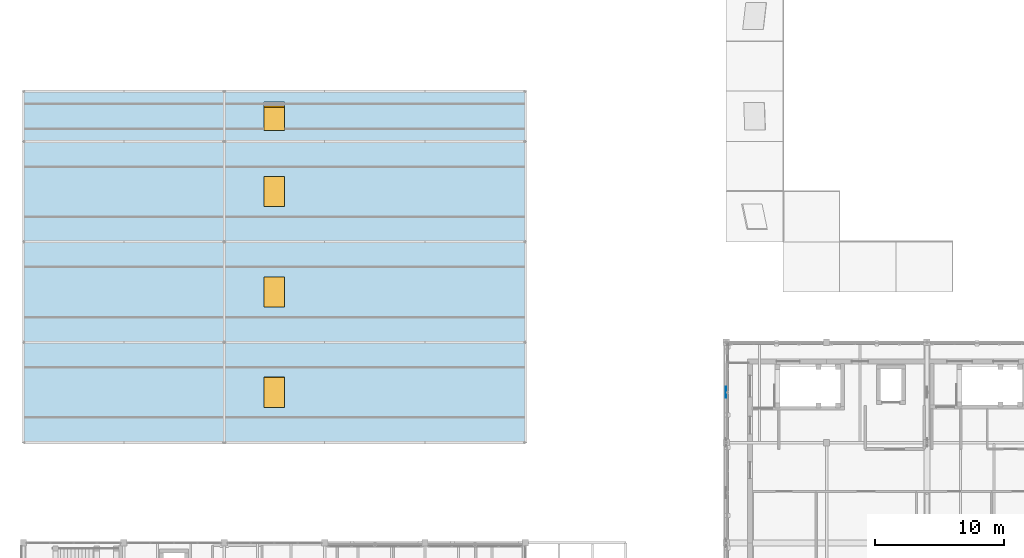
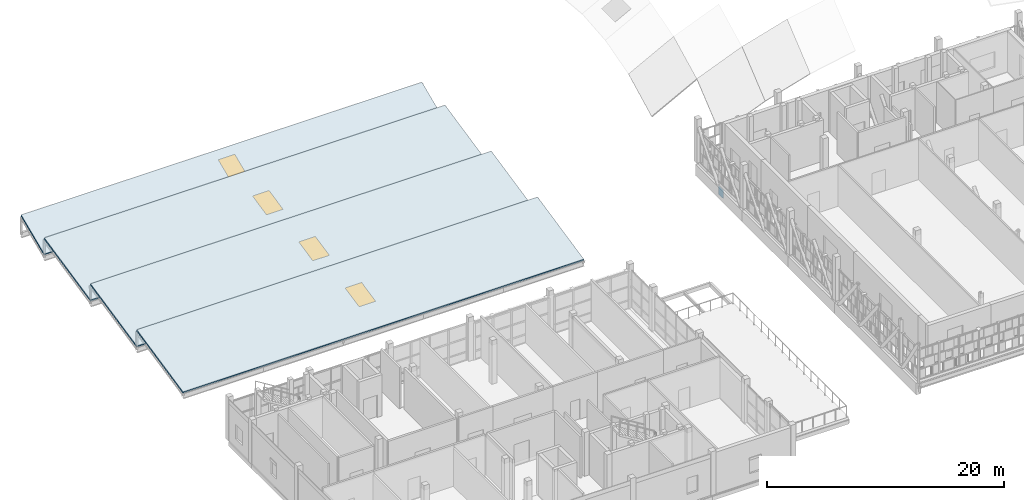
# One storey, part 46 of 89: 4 slabs, 4 windows, 1 plate, 4 openings.
"""IFC4 building model written with IfcOpenShell, lengths in metres."""

from ifc_helpers import new_model, si_unit, direction, frame, origin, origin_2d, place, context, subcontext, project, spatial, polyline, rectangle, outline, extrude, material, layer, layer_set, type_object, element, fill, save


model = new_model("IFC4")

# Units and contexts
model_context = context("Model", 3, precision=1e-05, world=origin(), true_north=direction((0.0, 1.0)))
body_context = subcontext(model_context, "Body", "Model", "MODEL_VIEW")
ifc_project = project(units=[si_unit("LENGTHUNIT", "METRE"), si_unit("AREAUNIT", "SQUARE_METRE"), si_unit("VOLUMEUNIT", "CUBIC_METRE"), si_unit("PLANEANGLEUNIT", "RADIAN"), si_unit("MASSUNIT", "GRAM", prefix="KILO")], contexts=[model_context])

# Site, building, storey
site_placement = place(None, origin())
site = spatial("IfcSite", under=ifc_project, at=site_placement, CompositionType="ELEMENT")
building_placement = place(site_placement, origin())
building = spatial("IfcBuilding", under=site, at=building_placement, Name="Celorna Specialist Clinic", CompositionType="ELEMENT")
storey_placement = place(building_placement, frame((0.0, 0.0, 14.10009765625)))
storey = spatial("IfcBuildingStorey", under=building, at=storey_placement, Name="L03", CompositionType="ELEMENT", Elevation=14.10009765625)

# Plate
ifc_material_1 = material(Name="Steel S355", Category="steel")
ifc_layer_1 = layer(ifc_material_1, 0.028076171875, Name="Steel S355")
ifc_layer_set_1 = layer_set([ifc_layer_1], Name="Steel S355")
plate_type = type_object("IfcPlateType", Name="GP-01", PredefinedType="USERDEFINED", material=ifc_layer_set_1)
plate_placement = place(storey_placement, frame((54.60009765625, 39.0, -1.26025390625), z_axis=(0.0, 0.0, 1.0), x_axis=(0.0, 1.0, 0.0)))
element("IfcPlate", 1, at=plate_placement, inside=storey, type_object=plate_type, Name="Truss node gusset plate TN-026", ObjectType="GUSSET PLATE", PredefinedType="USERDEFINED", context=body_context, shape_type="SweptSolid", body=[
    extrude(rectangle(XDim=0.85009765625, YDim=0.028076171875, at=origin_2d()), origin(), (0.0, 0.0, 1.0), 0.85009765625),
])

# Slab, opening, window
ifc_material_2 = material(Name="Precast concrete C40/50", Category="concrete")
ifc_layer_2 = layer(ifc_material_2, 0.159912109375, Name="Precast concrete C40/50")
ifc_layer_set_2 = layer_set([ifc_layer_2], Name="Precast concrete C40/50")
slab_type = type_object("IfcSlabType", Name="SL-13", PredefinedType="ROOF", material=ifc_layer_set_2)
slab_1_placement = place(storey_placement, frame((0.0, 35.10009765625, 0.079833984375), z_axis=(0.0, -0.209382769797, 0.977833756685), x_axis=(1.0, 0.0, 0.0)))
slab_1 = element("IfcSlab", 2, at=slab_1_placement, inside=storey, type_object=slab_type, Name="Sloped roof slab ROOF-V2-SAW-1", PredefinedType="ROOF", context=body_context, shape_type="SweptSolid", body=[
    extrude(outline(polyline([(0.0, 0.0), (39.0, 0.0), (39.0, 7.976616305357534), (0.0, 7.976616305357534), (0.0, 0.0)])), origin(), (0.0, 0.0, -1.0), 0.159912109375),
])
opening_1_placement = place(slab_1_placement, frame((19.5, 3.98828125, 0.010009765625)))
opening_1 = element("IfcOpeningElement", 3, at=opening_1_placement, cuts=slab_1, Name="Opening SK-01", PredefinedType="OPENING", context=body_context, shape_type="SweptSolid", body=[
    extrude(rectangle(XDim=1.60009765625, YDim=2.39990234375, at=origin_2d()), origin(), (0.0, 0.0, -1.0), 0.179931640625),
])
ifc_material_3 = material(Name="North-light sawtooth triple-glazed skylight")
window_type = type_object("IfcWindowType", Name="SK-01", PartitioningType="SINGLE_PANEL", PredefinedType="SKYLIGHT", material=ifc_material_3)
window_1_placement = place(opening_1_placement, frame((0.0, 0.0, -0.010009765625)))
window_1 = element("IfcWindow", 4, at=window_1_placement, inside=storey, type_object=window_type, Name="Roof skylight SK-01 on ROOF-V2-SAW-1", OverallHeight=2.39990234375, OverallWidth=1.60009765625, PartitioningType="SINGLE_PANEL", PredefinedType="SKYLIGHT", context=body_context, shape_type="SweptSolid", body=[
    extrude(rectangle(XDim=1.60009765625, YDim=2.39990234375, at=origin_2d()), origin(), (0.0, 0.0, -1.0), 0.050048828125),
])
fill(opening_1, window_1)

slab_2_placement = place(storey_placement, frame((0.0, 42.89990234375, 0.079833984375), z_axis=(0.0, -0.209376503448, 0.977835098472), x_axis=(1.0, 0.0, 0.0)))
slab_2 = element("IfcSlab", 5, at=slab_2_placement, inside=storey, type_object=slab_type, Name="Sloped roof slab ROOF-V2-SAW-2", PredefinedType="ROOF", context=body_context, shape_type="SweptSolid", body=[
    extrude(outline(polyline([(0.0, 0.0), (39.0, 0.0), (39.0, 7.97685503446583), (0.0, 7.97685503446583), (0.0, 0.0)])), origin(), (0.0, 0.0, -1.0), 0.159912109375),
])
opening_2_placement = place(slab_2_placement, frame((19.5, 3.988525390625, 0.010009765625)))
opening_2 = element("IfcOpeningElement", 6, at=opening_2_placement, cuts=slab_2, Name="Opening SK-01", PredefinedType="OPENING", context=body_context, shape_type="SweptSolid", body=[
    extrude(rectangle(XDim=1.60009765625, YDim=2.39990234375, at=origin_2d()), origin(), (0.0, 0.0, -1.0), 0.179931640625),
])
window_2_placement = place(opening_2_placement, frame((0.0, 0.0, -0.010009765625)))
window_2 = element("IfcWindow", 7, at=window_2_placement, inside=storey, type_object=window_type, Name="Roof skylight SK-01 on ROOF-V2-SAW-2", OverallHeight=2.39990234375, OverallWidth=1.60009765625, PartitioningType="SINGLE_PANEL", PredefinedType="SKYLIGHT", context=body_context, shape_type="SweptSolid", body=[
    extrude(rectangle(XDim=1.60009765625, YDim=2.39990234375, at=origin_2d()), origin(), (0.0, 0.0, -1.0), 0.050048828125),
])
fill(opening_2, window_2)

slab_3_placement = place(storey_placement, frame((0.0, 50.699951171875, 0.079833984375), z_axis=(0.0, -0.209376503448, 0.977835098472), x_axis=(1.0, 0.0, 0.0)))
slab_3 = element("IfcSlab", 8, at=slab_3_placement, inside=storey, type_object=slab_type, Name="Sloped roof slab ROOF-V2-SAW-3", PredefinedType="ROOF", context=body_context, shape_type="SweptSolid", body=[
    extrude(outline(polyline([(0.0, 0.0), (39.0, 0.0), (39.0, 7.97685503446583), (0.0, 7.97685503446583), (0.0, 0.0)])), origin(), (0.0, 0.0, -1.0), 0.159912109375),
])
opening_3_placement = place(slab_3_placement, frame((19.5, 3.988525390625, 0.010009765625)))
opening_3 = element("IfcOpeningElement", 9, at=opening_3_placement, cuts=slab_3, Name="Opening SK-01", PredefinedType="OPENING", context=body_context, shape_type="SweptSolid", body=[
    extrude(rectangle(XDim=1.60009765625, YDim=2.39990234375, at=origin_2d()), origin(), (0.0, 0.0, -1.0), 0.179931640625),
])
window_3_placement = place(opening_3_placement, frame((0.0, 0.0, -0.010009765625)))
window_3 = element("IfcWindow", 10, at=window_3_placement, inside=storey, type_object=window_type, Name="Roof skylight SK-01 on ROOF-V2-SAW-3", OverallHeight=2.39990234375, OverallWidth=1.60009765625, PartitioningType="SINGLE_PANEL", PredefinedType="SKYLIGHT", context=body_context, shape_type="SweptSolid", body=[
    extrude(rectangle(XDim=1.60009765625, YDim=2.39990234375, at=origin_2d()), origin(), (0.0, 0.0, -1.0), 0.050048828125),
])
fill(opening_3, window_3)

slab_4_placement = place(storey_placement, frame((0.0, 58.5, 0.079833984375), z_axis=(0.0, -0.393676200083, 0.91924917704), x_axis=(1.0, 0.0, 0.0)))
slab_4 = element("IfcSlab", 11, at=slab_4_placement, inside=storey, type_object=slab_type, Name="Sloped roof slab ROOF-V2-SAW-4", PredefinedType="ROOF", context=body_context, shape_type="SweptSolid", body=[
    extrude(outline(polyline([(0.0, 0.0), (39.0, 0.0), (39.0, 4.242486630566493), (0.0, 4.242486630566493), (0.0, 0.0)])), origin(), (0.0, 0.0, -1.0), 0.159912109375),
])
opening_4_placement = place(slab_4_placement, frame((19.5, 2.121337890625, 0.010009765625)))
opening_4 = element("IfcOpeningElement", 12, at=opening_4_placement, cuts=slab_4, Name="Opening SK-01", PredefinedType="OPENING", context=body_context, shape_type="SweptSolid", body=[
    extrude(rectangle(XDim=1.60009765625, YDim=2.39990234375, at=origin_2d()), origin(), (0.0, 0.0, -1.0), 0.179931640625),
])
window_4_placement = place(opening_4_placement, frame((0.0, 0.0, -0.010009765625)))
window_4 = element("IfcWindow", 13, at=window_4_placement, inside=storey, type_object=window_type, Name="Roof skylight SK-01 on ROOF-V2-SAW-4", OverallHeight=2.39990234375, OverallWidth=1.60009765625, PartitioningType="SINGLE_PANEL", PredefinedType="SKYLIGHT", context=body_context, shape_type="SweptSolid", body=[
    extrude(rectangle(XDim=1.60009765625, YDim=2.39990234375, at=origin_2d()), origin(), (0.0, 0.0, -1.0), 0.050048828125),
])
fill(opening_4, window_4)

save(model, "model.ifc")
